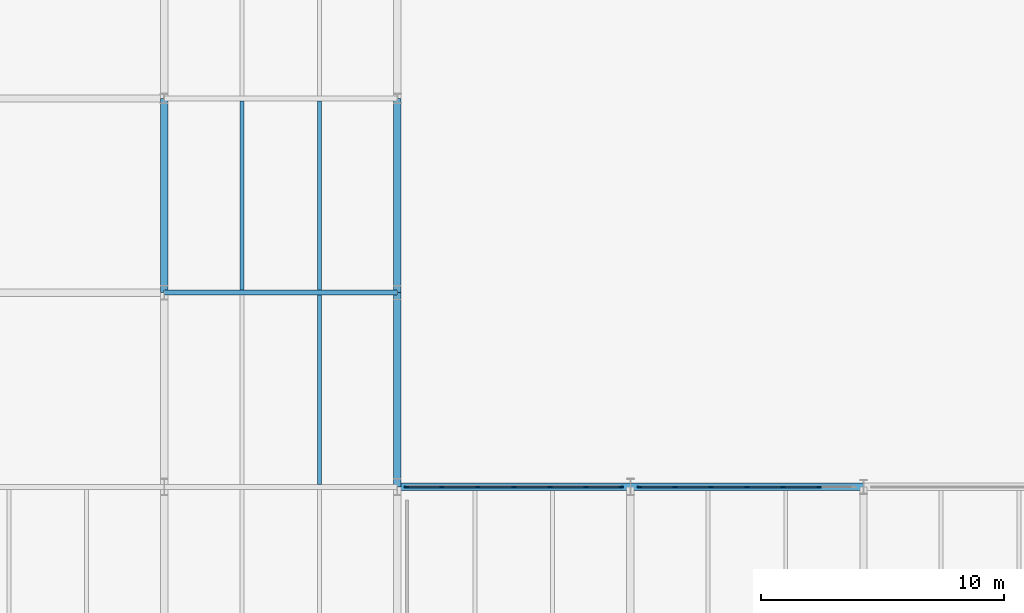
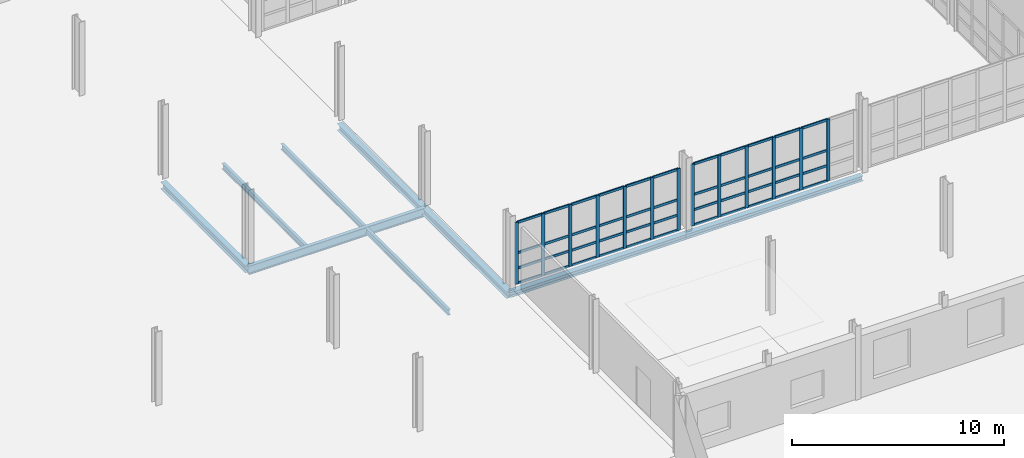
# One storey, part 33 of 78: 57 members, 9 beams, 2 elements without a shape of their own.
"""IFC4 building model written with IfcOpenShell, lengths in metres."""

import ifcopenshell
import ifcopenshell.guid

model = None  # the IFC model being written
_history = None  # IfcOwnerHistory: only IFC2X3 demands one
_inside = {}  # id of a spatial element -> (the spatial element, [elements in it])
_under = {}  # id of a project, library or spatial element -> (it, [spatial elements below it])
_declared = {}  # id of a project -> (the project, [libraries it declares])
_typed = {}  # id of a type object -> (the type object, [elements of that type])
_made_of = {}  # id of a material, layer set ... -> (it, [elements and type objects made of it])


def new_model(schema):
    """Start an empty IFC model of exactly this schema.

    Asked for "IFC4X3", IfcOpenShell would pick the latest addendum, in which some entities
    have other attributes; the version numbers below select the first issue.
    IFC2X3 requires an IfcOwnerHistory on every rooted entity: one is made here for all.
    """
    global model, _history
    if schema == "IFC4X3":
        model = ifcopenshell.file(schema_version=(4, 3, 0, 0))
    else:
        model = ifcopenshell.file(schema=schema)
    _inside.clear()
    _under.clear()
    _declared.clear()
    _typed.clear()
    _made_of.clear()
    _history = None
    if model.schema == "IFC2X3":
        org = make("IfcOrganization", Name="unknown")
        user = make(
            "IfcPersonAndOrganization",
            ThePerson=make("IfcPerson", FamilyName="unknown"),
            TheOrganization=org,
        )
        app = make(
            "IfcApplication",
            ApplicationDeveloper=org,
            Version="unknown",
            ApplicationFullName="unknown",
            ApplicationIdentifier="unknown",
        )
        _history = make(
            "IfcOwnerHistory",
            OwningUser=user,
            OwningApplication=app,
            ChangeAction="ADDED",
            CreationDate=0,
        )
    return model


def make(cls, **values):
    """One entity of the class cls with the attributes given. An attribute that is None is left unset."""
    return model.create_entity(
        cls, **{name: value for name, value in values.items() if value is not None}
    )


def rooted(cls, **values):
    """An entity with a GlobalId (a new one), such as an element, a storey or a relation."""
    return make(cls, GlobalId=ifcopenshell.guid.new(), OwnerHistory=_history, **values)


def si_unit(unit_type, name, prefix=None):
    """IfcSIUnit, for example si_unit("LENGTHUNIT", "METRE", prefix="MILLI")."""
    return make("IfcSIUnit", UnitType=unit_type, Prefix=prefix, Name=name)


def assignment(units):
    """IfcUnitAssignment: the units of a project."""
    return None if units is None else make("IfcUnitAssignment", Units=units)


def point(xyz):
    """IfcCartesianPoint."""
    return None if xyz is None else make("IfcCartesianPoint", Coordinates=xyz)


def direction(xyz):
    """IfcDirection."""
    return None if xyz is None else make("IfcDirection", DirectionRatios=xyz)


def frame(location, z_axis=None, x_axis=None):
    """IfcAxis2Placement3D, a coordinate frame: its origin and axes. An axis left out is left unset."""
    return make(
        "IfcAxis2Placement3D",
        Location=point(location),
        Axis=direction(z_axis),
        RefDirection=direction(x_axis),
    )


def frame_2d(location, x_axis=None):
    """IfcAxis2Placement2D, a coordinate frame in the plane: its origin and x axis."""
    return make(
        "IfcAxis2Placement2D", Location=point(location), RefDirection=direction(x_axis)
    )


def origin():
    """The frame at (0, 0, 0) with its axes left unset."""
    return frame((0.0, 0.0, 0.0))


def origin_2d():
    """The frame at (0, 0) in the plane with its x axis left unset."""
    return frame_2d((0.0, 0.0))


def place(relative_to, where):
    """IfcLocalPlacement: puts the frame where relative to a parent placement (None: the world)."""
    return make(
        "IfcLocalPlacement", PlacementRelTo=relative_to, RelativePlacement=where
    )


def context(
    kind, dimensions, precision=None, world=None, true_north=None, identifier=None
):
    """IfcGeometricRepresentationContext, for example the 3D "Model" context."""
    return make(
        "IfcGeometricRepresentationContext",
        ContextIdentifier=identifier,
        ContextType=kind,
        CoordinateSpaceDimension=dimensions,
        Precision=precision,
        WorldCoordinateSystem=world,
        TrueNorth=true_north,
    )


def subcontext(parent, identifier, kind, view, scale=None):
    """IfcGeometricRepresentationSubContext, for example "Body" below "Model"."""
    return make(
        "IfcGeometricRepresentationSubContext",
        ContextIdentifier=identifier,
        ContextType=kind,
        ParentContext=parent,
        TargetScale=scale,
        TargetView=view,
    )


def project(units=None, contexts=None):
    """IfcProject with its units and contexts."""
    return rooted(
        "IfcProject",
        Name="project",
        RepresentationContexts=contexts,
        UnitsInContext=assignment(units),
    )


def spatial(cls, under=None, at=None, **own):
    """A site, building, storey or space (cls), placed at a placement, below another one or the project."""
    s = rooted(cls, ObjectPlacement=at, **own)
    if under is not None:
        _under.setdefault(under.id(), (under, []))[1].append(s)
    return s


def profile(cls, at=None, kind="AREA", **sizes):
    """A parametric profile (cls). Its sizes go by their IFC names, for example OverallWidth=200.0."""
    return make(cls, ProfileType=kind, Position=at, **sizes)


def rectangle(**sizes):
    """IfcRectangleProfileDef."""
    return profile("IfcRectangleProfileDef", **sizes)


def i_section(**sizes):
    """IfcIShapeProfileDef."""
    return profile("IfcIShapeProfileDef", **sizes)


def extrude(swept, where, along, depth):
    """IfcExtrudedAreaSolid: the profile swept, set in the frame where, extruded along a direction by depth."""
    return make(
        "IfcExtrudedAreaSolid",
        SweptArea=swept,
        Position=where,
        ExtrudedDirection=direction(along),
        Depth=depth,
    )


def shape(context_of_items, identifier, shape_type, items):
    """IfcShapeRepresentation: the items that make up one representation, for example the "Body"."""
    return make(
        "IfcShapeRepresentation",
        ContextOfItems=context_of_items,
        RepresentationIdentifier=identifier,
        RepresentationType=shape_type,
        Items=items,
    )


def material(Name=None, Category=None):
    """IfcMaterial."""
    return make("IfcMaterial", Name=Name, Category=Category)


def layer(
    of_material, thickness, ventilated=None, Name=None, Category=None, Priority=None
):
    """IfcMaterialLayer: one layer of a wall or slab, of a material (None: an air gap)."""
    return make(
        "IfcMaterialLayer",
        Material=of_material,
        LayerThickness=thickness,
        IsVentilated=ventilated,
        Name=Name,
        Category=Category,
        Priority=Priority,
    )


def layer_set(layers, Name=None):
    """IfcMaterialLayerSet."""
    return make("IfcMaterialLayerSet", MaterialLayers=layers, LayerSetName=Name)


def material_profile(
    of_material, cross_section, Name=None, Category=None, Priority=None
):
    """IfcMaterialProfile: a cross section and its material."""
    return make(
        "IfcMaterialProfile",
        Name=Name,
        Material=of_material,
        Profile=cross_section,
        Priority=Priority,
        Category=Category,
    )


def profile_set(profiles, Name=None, composite=None):
    """IfcMaterialProfileSet."""
    return make(
        "IfcMaterialProfileSet",
        Name=Name,
        MaterialProfiles=profiles,
        CompositeProfile=composite,
    )


def made_of(thing, what):
    """Note that an element or type object is made of a material, layer set ...; save() writes the relation."""
    if what is not None:
        _made_of.setdefault(what.id(), (what, []))[1].append(thing)
    return thing


def type_object(cls, material=None, **own):
    """A type object (cls), such as IfcWallType, which elements share."""
    return made_of(rooted(cls, **own), material)


def element(
    cls,
    number,
    at=None,
    inside=None,
    cuts=None,
    type_object=None,
    material=None,
    context=None,
    identifier="Body",
    shape_type=None,
    held_by="IfcProductDefinitionShape",
    body=None,
    shapes=None,
    **own,
):
    """One element of the class cls, such as IfcWall. Its Tag is "e" and its number.

    at: its placement. inside: the storey or other place that contains it. cuts: it is an
    opening in that element (IfcRelVoidsElement). A single representation is given by context,
    identifier, shape_type and body (its items); several are given by shapes. held_by: the class
    of the entity that holds the representations. save() writes the other relations.
    """
    e = rooted(cls, Tag="e%d" % number, ObjectPlacement=at, **own)
    if body is not None:
        shapes = [shape(context, identifier, shape_type, body)]
    if shapes is not None:
        e.Representation = make(held_by, Representations=shapes)
    if inside is not None:
        _inside.setdefault(inside.id(), (inside, []))[1].append(e)
    if cuts is not None:
        rooted(
            "IfcRelVoidsElement", RelatingBuildingElement=cuts, RelatedOpeningElement=e
        )
    if type_object is not None:
        _typed.setdefault(type_object.id(), (type_object, []))[1].append(e)
    return made_of(e, material)


def aggregate(whole, parts):
    """IfcRelAggregates: a whole, such as a stair, and the parts it consists of."""
    return rooted("IfcRelAggregates", RelatingObject=whole, RelatedObjects=parts)


def save(model, path):
    """Write the relations noted so far, then the file.

    IfcRelAggregates (storeys below a building ...), IfcRelContainedInSpatialStructure (elements
    in a storey), IfcRelDefinesByType, IfcRelAssociatesMaterial and IfcRelDeclares: one each for
    every whole, place, type object, material and project.
    """
    for whole, parts in _under.values():
        aggregate(whole, parts)
    for where, things in _inside.values():
        rooted(
            "IfcRelContainedInSpatialStructure",
            RelatedElements=things,
            RelatingStructure=where,
        )
    for kind, things in _typed.values():
        rooted("IfcRelDefinesByType", RelatedObjects=things, RelatingType=kind)
    for what, things in _made_of.values():
        rooted("IfcRelAssociatesMaterial", RelatedObjects=things, RelatingMaterial=what)
    for by, libraries in _declared.values():
        rooted("IfcRelDeclares", RelatingContext=by, RelatedDefinitions=libraries)
    model.write(path)


model = new_model("IFC4")

# Units and contexts
model_context = context("Model", 3, precision=1e-05, world=origin(), true_north=direction((0.0, 1.0)))
body_context = subcontext(model_context, "Body", "Model", "MODEL_VIEW")
ifc_project = project(units=[si_unit("LENGTHUNIT", "METRE"), si_unit("AREAUNIT", "SQUARE_METRE"), si_unit("VOLUMEUNIT", "CUBIC_METRE"), si_unit("PLANEANGLEUNIT", "RADIAN"), si_unit("MASSUNIT", "GRAM", prefix="KILO")], contexts=[model_context])

# Site, building, storey
site_placement = place(None, origin())
site = spatial("IfcSite", under=ifc_project, at=site_placement, CompositionType="ELEMENT")
building_placement = place(site_placement, origin())
building = spatial("IfcBuilding", under=site, at=building_placement, Name="Alderhovde Museum", CompositionType="ELEMENT")
storey_placement = place(building_placement, origin())
storey = spatial("IfcBuildingStorey", under=building, at=storey_placement, Name="L00", CompositionType="ELEMENT", Elevation=0.0)

# Beams
ifc_material_1 = material(Name="Steel S355J2", Category="steel")
ifc_material_profile_1 = material_profile(ifc_material_1, i_section(OverallWidth=0.300048828125, OverallDepth=0.389892578125, WebThickness=0.010986328125, FlangeThickness=0.01904296875, FilletRadius=0.027099609375, at=origin_2d()), Name="HEA 400")
ifc_profile_set_1 = profile_set([ifc_material_profile_1], Name="Steel S355J2")
beam_type_1 = type_object("IfcBeamType", Name="BM-HEA400", PredefinedType="BEAM", material=ifc_profile_set_1)
for number, where, z_axis, x_axis, name in (
    (1, (105.60009765625, 56.0, -0.47509765625), (0.0, 1.0, 0.0), (-1.0, 0.0, 0.0), "L00 Grid Beam X=105.6 (56.0 TO 64.0)"),
    (2, (115.199951171875, 48.0, -0.47509765625), (0.0, 1.0, 0.0), (-1.0, 0.0, 0.0), "L00 Grid Beam X=115.2 (48.0 TO 56.0)"),
    (3, (115.199951171875, 56.0, -0.47509765625), (0.0, 1.0, 0.0), (-1.0, 0.0, 0.0), "L00 Grid Beam X=115.2 (56.0 TO 64.0)"),
):
    element("IfcBeam", number, at=place(storey_placement, frame(where, z_axis=z_axis, x_axis=x_axis)), inside=storey, type_object=beam_type_1, Name=name, PredefinedType="BEAM", context=body_context, shape_type="SweptSolid", body=[
        extrude(i_section(OverallWidth=0.300048828125, OverallDepth=0.389892578125, WebThickness=0.010986328125, FlangeThickness=0.01904296875, FilletRadius=0.027099609375, at=origin_2d()), origin(), (0.0, 0.0, 1.0), 8.0),
    ])
ifc_material_2 = material(Name="Steel S355J2", Category="steel")
ifc_material_profile_2 = material_profile(ifc_material_2, i_section(OverallWidth=0.199951171875, OverallDepth=0.5, WebThickness=0.01025390625, FlangeThickness=0.01611328125, FilletRadius=0.02099609375, at=origin_2d()), Name="IPE 500")
ifc_profile_set_2 = profile_set([ifc_material_profile_2], Name="Steel S355J2")
beam_type_2 = type_object("IfcBeamType", Name="BM-IPE500", PredefinedType="BEAM", material=ifc_profile_set_2)
beam_1_placement = place(storey_placement, frame((105.60009765625, 56.0, -0.530029296875), z_axis=(1.0, 0.0, 0.0), x_axis=(0.0, 1.0, 0.0)))
element("IfcBeam", 4, at=beam_1_placement, inside=storey, type_object=beam_type_2, Name="L00 Grid Beam Y=56.0 (105.6 TO 115.2)", PredefinedType="BEAM", context=body_context, shape_type="SweptSolid", body=[
    extrude(i_section(OverallWidth=0.199951171875, OverallDepth=0.5, WebThickness=0.01025390625, FlangeThickness=0.01611328125, FilletRadius=0.02099609375, at=origin_2d()), origin(), (0.0, 0.0, 1.0), 9.599853515625),
])

# Curtain wall, members
ifc_material_3 = material(Name="Triple-Glazed Bronze-Anodised Curtain Wall", Category="glass")
ifc_layer = layer(ifc_material_3, 0.179931640625)
ifc_layer_set = layer_set([ifc_layer], Name="Triple-Glazed Bronze-Anodised Curtain Wall")
curtain_wall_type = type_object("IfcCurtainWallType", Name="CW-STIC-890x356", PredefinedType="USERDEFINED", material=ifc_layer_set)
curtain_wall_1_placement = place(storey_placement, origin())
curtain_wall_1 = element("IfcCurtainWall", 5, at=curtain_wall_1_placement, inside=storey, type_object=curtain_wall_type, Name="L00 Stick Curtain Wall 133", ObjectType="STICK CURTAIN WALL", PredefinedType="USERDEFINED")
ifc_material_4 = material(Name="Bronze-Anodised Aluminium EN AW-6063-T6", Category="aluminium")
ifc_material_profile_3 = material_profile(ifc_material_4, rectangle(XDim=0.06494140625, YDim=0.179931640625, at=origin_2d()), Name="MULLION 65x180")
ifc_profile_set_3 = profile_set([ifc_material_profile_3], Name="Bronze-Anodised Aluminium EN AW-6063-T6")
member_type_1 = type_object("IfcMemberType", Name="CWM-65x180", PredefinedType="MULLION", material=ifc_profile_set_3)
member_1_placement = place(storey_placement, frame((115.58251953125, 48.0, 0.0), z_axis=(0.0, 0.0, 1.0), x_axis=(0.0, 1.0, 0.0)))
member_1 = element("IfcMember", 6, at=member_1_placement, type_object=member_type_1, Name="CW32 mullion 1", PredefinedType="MULLION", context=body_context, shape_type="SweptSolid", body=[
    extrude(rectangle(XDim=0.06494140625, YDim=0.179931640625, at=origin_2d()), origin(), (0.0, 0.0, 1.0), 3.56005859375),
])
member_2_placement = place(storey_placement, frame((117.033447265625, 48.0, 0.0), z_axis=(0.0, 0.0, 1.0), x_axis=(0.0, 1.0, 0.0)))
member_2 = element("IfcMember", 7, at=member_2_placement, type_object=member_type_1, Name="CW32 mullion 2", PredefinedType="MULLION", context=body_context, shape_type="SweptSolid", body=[
    extrude(rectangle(XDim=0.06494140625, YDim=0.179931640625, at=origin_2d()), origin(), (0.0, 0.0, 1.0), 3.56005859375),
])
member_3_placement = place(storey_placement, frame((118.5166015625, 48.0, 0.0), z_axis=(0.0, 0.0, 1.0), x_axis=(0.0, 1.0, 0.0)))
member_3 = element("IfcMember", 8, at=member_3_placement, type_object=member_type_1, Name="CW32 mullion 3", PredefinedType="MULLION", context=body_context, shape_type="SweptSolid", body=[
    extrude(rectangle(XDim=0.06494140625, YDim=0.179931640625, at=origin_2d()), origin(), (0.0, 0.0, 1.0), 3.56005859375),
])
member_4_placement = place(storey_placement, frame((120.0, 48.0, 0.0), z_axis=(0.0, 0.0, 1.0), x_axis=(0.0, 1.0, 0.0)))
member_4 = element("IfcMember", 9, at=member_4_placement, type_object=member_type_1, Name="CW32 mullion 4", PredefinedType="MULLION", context=body_context, shape_type="SweptSolid", body=[
    extrude(rectangle(XDim=0.06494140625, YDim=0.179931640625, at=origin_2d()), origin(), (0.0, 0.0, 1.0), 3.56005859375),
])
member_5_placement = place(storey_placement, frame((121.4833984375, 48.0, 0.0), z_axis=(0.0, 0.0, 1.0), x_axis=(0.0, 1.0, 0.0)))
member_5 = element("IfcMember", 10, at=member_5_placement, type_object=member_type_1, Name="CW32 mullion 5", PredefinedType="MULLION", context=body_context, shape_type="SweptSolid", body=[
    extrude(rectangle(XDim=0.06494140625, YDim=0.179931640625, at=origin_2d()), origin(), (0.0, 0.0, 1.0), 3.56005859375),
])
member_6_placement = place(storey_placement, frame((122.966552734375, 48.0, 0.0), z_axis=(0.0, 0.0, 1.0), x_axis=(0.0, 1.0, 0.0)))
member_6 = element("IfcMember", 11, at=member_6_placement, type_object=member_type_1, Name="CW32 mullion 6", PredefinedType="MULLION", context=body_context, shape_type="SweptSolid", body=[
    extrude(rectangle(XDim=0.06494140625, YDim=0.179931640625, at=origin_2d()), origin(), (0.0, 0.0, 1.0), 3.56005859375),
])
member_7_placement = place(storey_placement, frame((124.41748046875, 48.0, 0.0), z_axis=(0.0, 0.0, 1.0), x_axis=(0.0, 1.0, 0.0)))
member_7 = element("IfcMember", 12, at=member_7_placement, type_object=member_type_1, Name="CW32 mullion 7", PredefinedType="MULLION", context=body_context, shape_type="SweptSolid", body=[
    extrude(rectangle(XDim=0.06494140625, YDim=0.179931640625, at=origin_2d()), origin(), (0.0, 0.0, 1.0), 3.56005859375),
])

curtain_wall_2_placement = place(storey_placement, origin())
curtain_wall_2 = element("IfcCurtainWall", 13, at=curtain_wall_2_placement, inside=storey, type_object=curtain_wall_type, Name="L00 Stick Curtain Wall 136", ObjectType="STICK CURTAIN WALL", PredefinedType="USERDEFINED")
member_8_placement = place(storey_placement, frame((125.1826171875, 48.0, 0.0), z_axis=(0.0, 0.0, 1.0), x_axis=(0.0, 1.0, 0.0)))
member_8 = element("IfcMember", 14, at=member_8_placement, type_object=member_type_1, Name="CW32 mullion 1", PredefinedType="MULLION", context=body_context, shape_type="SweptSolid", body=[
    extrude(rectangle(XDim=0.06494140625, YDim=0.179931640625, at=origin_2d()), origin(), (0.0, 0.0, 1.0), 3.56005859375),
])
member_9_placement = place(storey_placement, frame((126.63330078125, 48.0, 0.0), z_axis=(0.0, 0.0, 1.0), x_axis=(0.0, 1.0, 0.0)))
member_9 = element("IfcMember", 15, at=member_9_placement, type_object=member_type_1, Name="CW32 mullion 2", PredefinedType="MULLION", context=body_context, shape_type="SweptSolid", body=[
    extrude(rectangle(XDim=0.06494140625, YDim=0.179931640625, at=origin_2d()), origin(), (0.0, 0.0, 1.0), 3.56005859375),
])
member_10_placement = place(storey_placement, frame((128.11669921875, 48.0, 0.0), z_axis=(0.0, 0.0, 1.0), x_axis=(0.0, 1.0, 0.0)))
member_10 = element("IfcMember", 16, at=member_10_placement, type_object=member_type_1, Name="CW32 mullion 3", PredefinedType="MULLION", context=body_context, shape_type="SweptSolid", body=[
    extrude(rectangle(XDim=0.06494140625, YDim=0.179931640625, at=origin_2d()), origin(), (0.0, 0.0, 1.0), 3.56005859375),
])
member_11_placement = place(storey_placement, frame((129.60009765625, 48.0, 0.0), z_axis=(0.0, 0.0, 1.0), x_axis=(0.0, 1.0, 0.0)))
member_11 = element("IfcMember", 17, at=member_11_placement, type_object=member_type_1, Name="CW32 mullion 4", PredefinedType="MULLION", context=body_context, shape_type="SweptSolid", body=[
    extrude(rectangle(XDim=0.06494140625, YDim=0.179931640625, at=origin_2d()), origin(), (0.0, 0.0, 1.0), 3.56005859375),
])
member_12_placement = place(storey_placement, frame((131.083251953125, 48.0, 0.0), z_axis=(0.0, 0.0, 1.0), x_axis=(0.0, 1.0, 0.0)))
member_12 = element("IfcMember", 18, at=member_12_placement, type_object=member_type_1, Name="CW32 mullion 5", PredefinedType="MULLION", context=body_context, shape_type="SweptSolid", body=[
    extrude(rectangle(XDim=0.06494140625, YDim=0.179931640625, at=origin_2d()), origin(), (0.0, 0.0, 1.0), 3.56005859375),
])
member_13_placement = place(storey_placement, frame((132.566650390625, 48.0, 0.0), z_axis=(0.0, 0.0, 1.0), x_axis=(0.0, 1.0, 0.0)))
member_13 = element("IfcMember", 19, at=member_13_placement, type_object=member_type_1, Name="CW32 mullion 6", PredefinedType="MULLION", context=body_context, shape_type="SweptSolid", body=[
    extrude(rectangle(XDim=0.06494140625, YDim=0.179931640625, at=origin_2d()), origin(), (0.0, 0.0, 1.0), 3.56005859375),
])

# Member
ifc_material_5 = material(Name="Bronze-Anodised Aluminium EN AW-6063-T6", Category="aluminium")
ifc_material_profile_4 = material_profile(ifc_material_5, rectangle(XDim=0.06494140625, YDim=0.139892578125, at=origin_2d()), Name="TRANSOM 65x140")
ifc_profile_set_4 = profile_set([ifc_material_profile_4], Name="Bronze-Anodised Aluminium EN AW-6063-T6")
member_type_2 = type_object("IfcMemberType", Name="CWT-65x140", PredefinedType="USERDEFINED", material=ifc_profile_set_4)
member_14_placement = place(storey_placement, frame((115.614990234375, 48.0, 0.032470703125), z_axis=(1.0, 0.0, 0.0), x_axis=(0.0, 1.0, 0.0)))
member_14 = element("IfcMember", 20, at=member_14_placement, type_object=member_type_2, Name="CW32 transom 1.1", ObjectType="TRANSOM", PredefinedType="USERDEFINED", context=body_context, shape_type="SweptSolid", body=[
    extrude(rectangle(XDim=0.06494140625, YDim=0.139892578125, at=origin_2d()), origin(), (0.0, 0.0, 1.0), 1.3857421875),
])

member_15_placement = place(storey_placement, frame((115.614990234375, 48.0, 0.89990234375), z_axis=(1.0, 0.0, 0.0), x_axis=(0.0, 1.0, 0.0)))
member_15 = element("IfcMember", 21, at=member_15_placement, type_object=member_type_2, Name="CW32 transom 1.2", ObjectType="TRANSOM", PredefinedType="USERDEFINED", context=body_context, shape_type="SweptSolid", body=[
    extrude(rectangle(XDim=0.06494140625, YDim=0.139892578125, at=origin_2d()), origin(), (0.0, 0.0, 1.0), 1.3857421875),
])

member_16_placement = place(storey_placement, frame((115.614990234375, 48.0, 1.780029296875), z_axis=(1.0, 0.0, 0.0), x_axis=(0.0, 1.0, 0.0)))
member_16 = element("IfcMember", 22, at=member_16_placement, type_object=member_type_2, Name="CW32 transom 1.3", ObjectType="TRANSOM", PredefinedType="USERDEFINED", context=body_context, shape_type="SweptSolid", body=[
    extrude(rectangle(XDim=0.06494140625, YDim=0.139892578125, at=origin_2d()), origin(), (0.0, 0.0, 1.0), 1.3857421875),
])

member_17_placement = place(storey_placement, frame((115.614990234375, 48.0, 3.527587890625), z_axis=(1.0, 0.0, 0.0), x_axis=(0.0, 1.0, 0.0)))
member_17 = element("IfcMember", 23, at=member_17_placement, type_object=member_type_2, Name="CW32 transom 1.4", ObjectType="TRANSOM", PredefinedType="USERDEFINED", context=body_context, shape_type="SweptSolid", body=[
    extrude(rectangle(XDim=0.06494140625, YDim=0.139892578125, at=origin_2d()), origin(), (0.0, 0.0, 1.0), 1.3857421875),
])

member_18_placement = place(storey_placement, frame((117.06591796875, 48.0, 0.032470703125), z_axis=(1.0, 0.0, 0.0), x_axis=(0.0, 1.0, 0.0)))
member_18 = element("IfcMember", 24, at=member_18_placement, type_object=member_type_2, Name="CW32 transom 2.1", ObjectType="TRANSOM", PredefinedType="USERDEFINED", context=body_context, shape_type="SweptSolid", body=[
    extrude(rectangle(XDim=0.06494140625, YDim=0.139892578125, at=origin_2d()), origin(), (0.0, 0.0, 1.0), 1.418212890625),
])

member_19_placement = place(storey_placement, frame((117.06591796875, 48.0, 0.89990234375), z_axis=(1.0, 0.0, 0.0), x_axis=(0.0, 1.0, 0.0)))
member_19 = element("IfcMember", 25, at=member_19_placement, type_object=member_type_2, Name="CW32 transom 2.2", ObjectType="TRANSOM", PredefinedType="USERDEFINED", context=body_context, shape_type="SweptSolid", body=[
    extrude(rectangle(XDim=0.06494140625, YDim=0.139892578125, at=origin_2d()), origin(), (0.0, 0.0, 1.0), 1.418212890625),
])

member_20_placement = place(storey_placement, frame((117.06591796875, 48.0, 1.780029296875), z_axis=(1.0, 0.0, 0.0), x_axis=(0.0, 1.0, 0.0)))
member_20 = element("IfcMember", 26, at=member_20_placement, type_object=member_type_2, Name="CW32 transom 2.3", ObjectType="TRANSOM", PredefinedType="USERDEFINED", context=body_context, shape_type="SweptSolid", body=[
    extrude(rectangle(XDim=0.06494140625, YDim=0.139892578125, at=origin_2d()), origin(), (0.0, 0.0, 1.0), 1.418212890625),
])

member_21_placement = place(storey_placement, frame((117.06591796875, 48.0, 3.527587890625), z_axis=(1.0, 0.0, 0.0), x_axis=(0.0, 1.0, 0.0)))
member_21 = element("IfcMember", 27, at=member_21_placement, type_object=member_type_2, Name="CW32 transom 2.4", ObjectType="TRANSOM", PredefinedType="USERDEFINED", context=body_context, shape_type="SweptSolid", body=[
    extrude(rectangle(XDim=0.06494140625, YDim=0.139892578125, at=origin_2d()), origin(), (0.0, 0.0, 1.0), 1.418212890625),
])

member_22_placement = place(storey_placement, frame((118.549072265625, 48.0, 0.032470703125), z_axis=(1.0, 0.0, 0.0), x_axis=(0.0, 1.0, 0.0)))
member_22 = element("IfcMember", 28, at=member_22_placement, type_object=member_type_2, Name="CW32 transom 3.1", ObjectType="TRANSOM", PredefinedType="USERDEFINED", context=body_context, shape_type="SweptSolid", body=[
    extrude(rectangle(XDim=0.06494140625, YDim=0.139892578125, at=origin_2d()), origin(), (0.0, 0.0, 1.0), 1.41845703125),
])

member_23_placement = place(storey_placement, frame((118.549072265625, 48.0, 0.89990234375), z_axis=(1.0, 0.0, 0.0), x_axis=(0.0, 1.0, 0.0)))
member_23 = element("IfcMember", 29, at=member_23_placement, type_object=member_type_2, Name="CW32 transom 3.2", ObjectType="TRANSOM", PredefinedType="USERDEFINED", context=body_context, shape_type="SweptSolid", body=[
    extrude(rectangle(XDim=0.06494140625, YDim=0.139892578125, at=origin_2d()), origin(), (0.0, 0.0, 1.0), 1.41845703125),
])

member_24_placement = place(storey_placement, frame((118.549072265625, 48.0, 1.780029296875), z_axis=(1.0, 0.0, 0.0), x_axis=(0.0, 1.0, 0.0)))
member_24 = element("IfcMember", 30, at=member_24_placement, type_object=member_type_2, Name="CW32 transom 3.3", ObjectType="TRANSOM", PredefinedType="USERDEFINED", context=body_context, shape_type="SweptSolid", body=[
    extrude(rectangle(XDim=0.06494140625, YDim=0.139892578125, at=origin_2d()), origin(), (0.0, 0.0, 1.0), 1.41845703125),
])

member_25_placement = place(storey_placement, frame((118.549072265625, 48.0, 3.527587890625), z_axis=(1.0, 0.0, 0.0), x_axis=(0.0, 1.0, 0.0)))
member_25 = element("IfcMember", 31, at=member_25_placement, type_object=member_type_2, Name="CW32 transom 3.4", ObjectType="TRANSOM", PredefinedType="USERDEFINED", context=body_context, shape_type="SweptSolid", body=[
    extrude(rectangle(XDim=0.06494140625, YDim=0.139892578125, at=origin_2d()), origin(), (0.0, 0.0, 1.0), 1.41845703125),
])

member_26_placement = place(storey_placement, frame((120.032470703125, 48.0, 0.032470703125), z_axis=(1.0, 0.0, 0.0), x_axis=(0.0, 1.0, 0.0)))
member_26 = element("IfcMember", 32, at=member_26_placement, type_object=member_type_2, Name="CW32 transom 4.1", ObjectType="TRANSOM", PredefinedType="USERDEFINED", context=body_context, shape_type="SweptSolid", body=[
    extrude(rectangle(XDim=0.06494140625, YDim=0.139892578125, at=origin_2d()), origin(), (0.0, 0.0, 1.0), 1.41845703125),
])

member_27_placement = place(storey_placement, frame((120.032470703125, 48.0, 0.89990234375), z_axis=(1.0, 0.0, 0.0), x_axis=(0.0, 1.0, 0.0)))
member_27 = element("IfcMember", 33, at=member_27_placement, type_object=member_type_2, Name="CW32 transom 4.2", ObjectType="TRANSOM", PredefinedType="USERDEFINED", context=body_context, shape_type="SweptSolid", body=[
    extrude(rectangle(XDim=0.06494140625, YDim=0.139892578125, at=origin_2d()), origin(), (0.0, 0.0, 1.0), 1.41845703125),
])

member_28_placement = place(storey_placement, frame((120.032470703125, 48.0, 1.780029296875), z_axis=(1.0, 0.0, 0.0), x_axis=(0.0, 1.0, 0.0)))
member_28 = element("IfcMember", 34, at=member_28_placement, type_object=member_type_2, Name="CW32 transom 4.3", ObjectType="TRANSOM", PredefinedType="USERDEFINED", context=body_context, shape_type="SweptSolid", body=[
    extrude(rectangle(XDim=0.06494140625, YDim=0.139892578125, at=origin_2d()), origin(), (0.0, 0.0, 1.0), 1.41845703125),
])

member_29_placement = place(storey_placement, frame((120.032470703125, 48.0, 3.527587890625), z_axis=(1.0, 0.0, 0.0), x_axis=(0.0, 1.0, 0.0)))
member_29 = element("IfcMember", 35, at=member_29_placement, type_object=member_type_2, Name="CW32 transom 4.4", ObjectType="TRANSOM", PredefinedType="USERDEFINED", context=body_context, shape_type="SweptSolid", body=[
    extrude(rectangle(XDim=0.06494140625, YDim=0.139892578125, at=origin_2d()), origin(), (0.0, 0.0, 1.0), 1.41845703125),
])

member_30_placement = place(storey_placement, frame((121.515869140625, 48.0, 0.032470703125), z_axis=(1.0, 0.0, 0.0), x_axis=(0.0, 1.0, 0.0)))
member_30 = element("IfcMember", 36, at=member_30_placement, type_object=member_type_2, Name="CW32 transom 5.1", ObjectType="TRANSOM", PredefinedType="USERDEFINED", context=body_context, shape_type="SweptSolid", body=[
    extrude(rectangle(XDim=0.06494140625, YDim=0.139892578125, at=origin_2d()), origin(), (0.0, 0.0, 1.0), 1.418212890625),
])

member_31_placement = place(storey_placement, frame((121.515869140625, 48.0, 0.89990234375), z_axis=(1.0, 0.0, 0.0), x_axis=(0.0, 1.0, 0.0)))
member_31 = element("IfcMember", 37, at=member_31_placement, type_object=member_type_2, Name="CW32 transom 5.2", ObjectType="TRANSOM", PredefinedType="USERDEFINED", context=body_context, shape_type="SweptSolid", body=[
    extrude(rectangle(XDim=0.06494140625, YDim=0.139892578125, at=origin_2d()), origin(), (0.0, 0.0, 1.0), 1.418212890625),
])

member_32_placement = place(storey_placement, frame((121.515869140625, 48.0, 1.780029296875), z_axis=(1.0, 0.0, 0.0), x_axis=(0.0, 1.0, 0.0)))
member_32 = element("IfcMember", 38, at=member_32_placement, type_object=member_type_2, Name="CW32 transom 5.3", ObjectType="TRANSOM", PredefinedType="USERDEFINED", context=body_context, shape_type="SweptSolid", body=[
    extrude(rectangle(XDim=0.06494140625, YDim=0.139892578125, at=origin_2d()), origin(), (0.0, 0.0, 1.0), 1.418212890625),
])

member_33_placement = place(storey_placement, frame((121.515869140625, 48.0, 3.527587890625), z_axis=(1.0, 0.0, 0.0), x_axis=(0.0, 1.0, 0.0)))
member_33 = element("IfcMember", 39, at=member_33_placement, type_object=member_type_2, Name="CW32 transom 5.4", ObjectType="TRANSOM", PredefinedType="USERDEFINED", context=body_context, shape_type="SweptSolid", body=[
    extrude(rectangle(XDim=0.06494140625, YDim=0.139892578125, at=origin_2d()), origin(), (0.0, 0.0, 1.0), 1.418212890625),
])

member_34_placement = place(storey_placement, frame((122.999267578125, 48.0, 0.032470703125), z_axis=(1.0, 0.0, 0.0), x_axis=(0.0, 1.0, 0.0)))
member_34 = element("IfcMember", 40, at=member_34_placement, type_object=member_type_2, Name="CW32 transom 6.1", ObjectType="TRANSOM", PredefinedType="USERDEFINED", context=body_context, shape_type="SweptSolid", body=[
    extrude(rectangle(XDim=0.06494140625, YDim=0.139892578125, at=origin_2d()), origin(), (0.0, 0.0, 1.0), 1.3857421875),
])

member_35_placement = place(storey_placement, frame((122.999267578125, 48.0, 0.89990234375), z_axis=(1.0, 0.0, 0.0), x_axis=(0.0, 1.0, 0.0)))
member_35 = element("IfcMember", 41, at=member_35_placement, type_object=member_type_2, Name="CW32 transom 6.2", ObjectType="TRANSOM", PredefinedType="USERDEFINED", context=body_context, shape_type="SweptSolid", body=[
    extrude(rectangle(XDim=0.06494140625, YDim=0.139892578125, at=origin_2d()), origin(), (0.0, 0.0, 1.0), 1.3857421875),
])

member_36_placement = place(storey_placement, frame((122.999267578125, 48.0, 1.780029296875), z_axis=(1.0, 0.0, 0.0), x_axis=(0.0, 1.0, 0.0)))
member_36 = element("IfcMember", 42, at=member_36_placement, type_object=member_type_2, Name="CW32 transom 6.3", ObjectType="TRANSOM", PredefinedType="USERDEFINED", context=body_context, shape_type="SweptSolid", body=[
    extrude(rectangle(XDim=0.06494140625, YDim=0.139892578125, at=origin_2d()), origin(), (0.0, 0.0, 1.0), 1.3857421875),
])

member_37_placement = place(storey_placement, frame((122.999267578125, 48.0, 3.527587890625), z_axis=(1.0, 0.0, 0.0), x_axis=(0.0, 1.0, 0.0)))
member_37 = element("IfcMember", 43, at=member_37_placement, type_object=member_type_2, Name="CW32 transom 6.4", ObjectType="TRANSOM", PredefinedType="USERDEFINED", context=body_context, shape_type="SweptSolid", body=[
    extrude(rectangle(XDim=0.06494140625, YDim=0.139892578125, at=origin_2d()), origin(), (0.0, 0.0, 1.0), 1.3857421875),
])

aggregate(curtain_wall_1, [member_1, member_2, member_3, member_4, member_5, member_6, member_7, member_14, member_15, member_16, member_17, member_18, member_19, member_20, member_21, member_22, member_23, member_24, member_25, member_26, member_27, member_28, member_29, member_30, member_31, member_32, member_33, member_34, member_35, member_36, member_37])

member_38_placement = place(storey_placement, frame((125.215087890625, 48.0, 0.032470703125), z_axis=(1.0, 0.0, 0.0), x_axis=(0.0, 1.0, 0.0)))
member_38 = element("IfcMember", 44, at=member_38_placement, type_object=member_type_2, Name="CW32 transom 1.1", ObjectType="TRANSOM", PredefinedType="USERDEFINED", context=body_context, shape_type="SweptSolid", body=[
    extrude(rectangle(XDim=0.06494140625, YDim=0.139892578125, at=origin_2d()), origin(), (0.0, 0.0, 1.0), 1.3857421875),
])

member_39_placement = place(storey_placement, frame((125.215087890625, 48.0, 0.89990234375), z_axis=(1.0, 0.0, 0.0), x_axis=(0.0, 1.0, 0.0)))
member_39 = element("IfcMember", 45, at=member_39_placement, type_object=member_type_2, Name="CW32 transom 1.2", ObjectType="TRANSOM", PredefinedType="USERDEFINED", context=body_context, shape_type="SweptSolid", body=[
    extrude(rectangle(XDim=0.06494140625, YDim=0.139892578125, at=origin_2d()), origin(), (0.0, 0.0, 1.0), 1.3857421875),
])

member_40_placement = place(storey_placement, frame((125.215087890625, 48.0, 1.780029296875), z_axis=(1.0, 0.0, 0.0), x_axis=(0.0, 1.0, 0.0)))
member_40 = element("IfcMember", 46, at=member_40_placement, type_object=member_type_2, Name="CW32 transom 1.3", ObjectType="TRANSOM", PredefinedType="USERDEFINED", context=body_context, shape_type="SweptSolid", body=[
    extrude(rectangle(XDim=0.06494140625, YDim=0.139892578125, at=origin_2d()), origin(), (0.0, 0.0, 1.0), 1.3857421875),
])

member_41_placement = place(storey_placement, frame((125.215087890625, 48.0, 3.527587890625), z_axis=(1.0, 0.0, 0.0), x_axis=(0.0, 1.0, 0.0)))
member_41 = element("IfcMember", 47, at=member_41_placement, type_object=member_type_2, Name="CW32 transom 1.4", ObjectType="TRANSOM", PredefinedType="USERDEFINED", context=body_context, shape_type="SweptSolid", body=[
    extrude(rectangle(XDim=0.06494140625, YDim=0.139892578125, at=origin_2d()), origin(), (0.0, 0.0, 1.0), 1.3857421875),
])

member_42_placement = place(storey_placement, frame((126.665771484375, 48.0, 0.032470703125), z_axis=(1.0, 0.0, 0.0), x_axis=(0.0, 1.0, 0.0)))
member_42 = element("IfcMember", 48, at=member_42_placement, type_object=member_type_2, Name="CW32 transom 2.1", ObjectType="TRANSOM", PredefinedType="USERDEFINED", context=body_context, shape_type="SweptSolid", body=[
    extrude(rectangle(XDim=0.06494140625, YDim=0.139892578125, at=origin_2d()), origin(), (0.0, 0.0, 1.0), 1.41845703125),
])

member_43_placement = place(storey_placement, frame((126.665771484375, 48.0, 0.89990234375), z_axis=(1.0, 0.0, 0.0), x_axis=(0.0, 1.0, 0.0)))
member_43 = element("IfcMember", 49, at=member_43_placement, type_object=member_type_2, Name="CW32 transom 2.2", ObjectType="TRANSOM", PredefinedType="USERDEFINED", context=body_context, shape_type="SweptSolid", body=[
    extrude(rectangle(XDim=0.06494140625, YDim=0.139892578125, at=origin_2d()), origin(), (0.0, 0.0, 1.0), 1.41845703125),
])

member_44_placement = place(storey_placement, frame((126.665771484375, 48.0, 1.780029296875), z_axis=(1.0, 0.0, 0.0), x_axis=(0.0, 1.0, 0.0)))
member_44 = element("IfcMember", 50, at=member_44_placement, type_object=member_type_2, Name="CW32 transom 2.3", ObjectType="TRANSOM", PredefinedType="USERDEFINED", context=body_context, shape_type="SweptSolid", body=[
    extrude(rectangle(XDim=0.06494140625, YDim=0.139892578125, at=origin_2d()), origin(), (0.0, 0.0, 1.0), 1.41845703125),
])

member_45_placement = place(storey_placement, frame((126.665771484375, 48.0, 3.527587890625), z_axis=(1.0, 0.0, 0.0), x_axis=(0.0, 1.0, 0.0)))
member_45 = element("IfcMember", 51, at=member_45_placement, type_object=member_type_2, Name="CW32 transom 2.4", ObjectType="TRANSOM", PredefinedType="USERDEFINED", context=body_context, shape_type="SweptSolid", body=[
    extrude(rectangle(XDim=0.06494140625, YDim=0.139892578125, at=origin_2d()), origin(), (0.0, 0.0, 1.0), 1.41845703125),
])

member_46_placement = place(storey_placement, frame((128.149169921875, 48.0, 0.032470703125), z_axis=(1.0, 0.0, 0.0), x_axis=(0.0, 1.0, 0.0)))
member_46 = element("IfcMember", 52, at=member_46_placement, type_object=member_type_2, Name="CW32 transom 3.1", ObjectType="TRANSOM", PredefinedType="USERDEFINED", context=body_context, shape_type="SweptSolid", body=[
    extrude(rectangle(XDim=0.06494140625, YDim=0.139892578125, at=origin_2d()), origin(), (0.0, 0.0, 1.0), 1.418212890625),
])

member_47_placement = place(storey_placement, frame((128.149169921875, 48.0, 0.89990234375), z_axis=(1.0, 0.0, 0.0), x_axis=(0.0, 1.0, 0.0)))
member_47 = element("IfcMember", 53, at=member_47_placement, type_object=member_type_2, Name="CW32 transom 3.2", ObjectType="TRANSOM", PredefinedType="USERDEFINED", context=body_context, shape_type="SweptSolid", body=[
    extrude(rectangle(XDim=0.06494140625, YDim=0.139892578125, at=origin_2d()), origin(), (0.0, 0.0, 1.0), 1.418212890625),
])

member_48_placement = place(storey_placement, frame((128.149169921875, 48.0, 1.780029296875), z_axis=(1.0, 0.0, 0.0), x_axis=(0.0, 1.0, 0.0)))
member_48 = element("IfcMember", 54, at=member_48_placement, type_object=member_type_2, Name="CW32 transom 3.3", ObjectType="TRANSOM", PredefinedType="USERDEFINED", context=body_context, shape_type="SweptSolid", body=[
    extrude(rectangle(XDim=0.06494140625, YDim=0.139892578125, at=origin_2d()), origin(), (0.0, 0.0, 1.0), 1.418212890625),
])

member_49_placement = place(storey_placement, frame((128.149169921875, 48.0, 3.527587890625), z_axis=(1.0, 0.0, 0.0), x_axis=(0.0, 1.0, 0.0)))
member_49 = element("IfcMember", 55, at=member_49_placement, type_object=member_type_2, Name="CW32 transom 3.4", ObjectType="TRANSOM", PredefinedType="USERDEFINED", context=body_context, shape_type="SweptSolid", body=[
    extrude(rectangle(XDim=0.06494140625, YDim=0.139892578125, at=origin_2d()), origin(), (0.0, 0.0, 1.0), 1.418212890625),
])

member_50_placement = place(storey_placement, frame((129.632568359375, 48.0, 0.032470703125), z_axis=(1.0, 0.0, 0.0), x_axis=(0.0, 1.0, 0.0)))
member_50 = element("IfcMember", 56, at=member_50_placement, type_object=member_type_2, Name="CW32 transom 4.1", ObjectType="TRANSOM", PredefinedType="USERDEFINED", context=body_context, shape_type="SweptSolid", body=[
    extrude(rectangle(XDim=0.06494140625, YDim=0.139892578125, at=origin_2d()), origin(), (0.0, 0.0, 1.0), 1.418212890625),
])

member_51_placement = place(storey_placement, frame((129.632568359375, 48.0, 0.89990234375), z_axis=(1.0, 0.0, 0.0), x_axis=(0.0, 1.0, 0.0)))
member_51 = element("IfcMember", 57, at=member_51_placement, type_object=member_type_2, Name="CW32 transom 4.2", ObjectType="TRANSOM", PredefinedType="USERDEFINED", context=body_context, shape_type="SweptSolid", body=[
    extrude(rectangle(XDim=0.06494140625, YDim=0.139892578125, at=origin_2d()), origin(), (0.0, 0.0, 1.0), 1.418212890625),
])

member_52_placement = place(storey_placement, frame((129.632568359375, 48.0, 1.780029296875), z_axis=(1.0, 0.0, 0.0), x_axis=(0.0, 1.0, 0.0)))
member_52 = element("IfcMember", 58, at=member_52_placement, type_object=member_type_2, Name="CW32 transom 4.3", ObjectType="TRANSOM", PredefinedType="USERDEFINED", context=body_context, shape_type="SweptSolid", body=[
    extrude(rectangle(XDim=0.06494140625, YDim=0.139892578125, at=origin_2d()), origin(), (0.0, 0.0, 1.0), 1.418212890625),
])

member_53_placement = place(storey_placement, frame((129.632568359375, 48.0, 3.527587890625), z_axis=(1.0, 0.0, 0.0), x_axis=(0.0, 1.0, 0.0)))
member_53 = element("IfcMember", 59, at=member_53_placement, type_object=member_type_2, Name="CW32 transom 4.4", ObjectType="TRANSOM", PredefinedType="USERDEFINED", context=body_context, shape_type="SweptSolid", body=[
    extrude(rectangle(XDim=0.06494140625, YDim=0.139892578125, at=origin_2d()), origin(), (0.0, 0.0, 1.0), 1.418212890625),
])

member_54_placement = place(storey_placement, frame((131.11572265625, 48.0, 0.032470703125), z_axis=(1.0, 0.0, 0.0), x_axis=(0.0, 1.0, 0.0)))
member_54 = element("IfcMember", 60, at=member_54_placement, type_object=member_type_2, Name="CW32 transom 5.1", ObjectType="TRANSOM", PredefinedType="USERDEFINED", context=body_context, shape_type="SweptSolid", body=[
    extrude(rectangle(XDim=0.06494140625, YDim=0.139892578125, at=origin_2d()), origin(), (0.0, 0.0, 1.0), 1.41845703125),
])

member_55_placement = place(storey_placement, frame((131.11572265625, 48.0, 0.89990234375), z_axis=(1.0, 0.0, 0.0), x_axis=(0.0, 1.0, 0.0)))
member_55 = element("IfcMember", 61, at=member_55_placement, type_object=member_type_2, Name="CW32 transom 5.2", ObjectType="TRANSOM", PredefinedType="USERDEFINED", context=body_context, shape_type="SweptSolid", body=[
    extrude(rectangle(XDim=0.06494140625, YDim=0.139892578125, at=origin_2d()), origin(), (0.0, 0.0, 1.0), 1.41845703125),
])

member_56_placement = place(storey_placement, frame((131.11572265625, 48.0, 1.780029296875), z_axis=(1.0, 0.0, 0.0), x_axis=(0.0, 1.0, 0.0)))
member_56 = element("IfcMember", 62, at=member_56_placement, type_object=member_type_2, Name="CW32 transom 5.3", ObjectType="TRANSOM", PredefinedType="USERDEFINED", context=body_context, shape_type="SweptSolid", body=[
    extrude(rectangle(XDim=0.06494140625, YDim=0.139892578125, at=origin_2d()), origin(), (0.0, 0.0, 1.0), 1.41845703125),
])

member_57_placement = place(storey_placement, frame((131.11572265625, 48.0, 3.527587890625), z_axis=(1.0, 0.0, 0.0), x_axis=(0.0, 1.0, 0.0)))
member_57 = element("IfcMember", 63, at=member_57_placement, type_object=member_type_2, Name="CW32 transom 5.4", ObjectType="TRANSOM", PredefinedType="USERDEFINED", context=body_context, shape_type="SweptSolid", body=[
    extrude(rectangle(XDim=0.06494140625, YDim=0.139892578125, at=origin_2d()), origin(), (0.0, 0.0, 1.0), 1.41845703125),
])

aggregate(curtain_wall_2, [member_8, member_9, member_10, member_11, member_12, member_13, member_38, member_39, member_40, member_41, member_42, member_43, member_44, member_45, member_46, member_47, member_48, member_49, member_50, member_51, member_52, member_53, member_54, member_55, member_56, member_57])

# Beams
ifc_material_6 = material(Name="Steel S355J2", Category="steel")
ifc_material_profile_5 = material_profile(ifc_material_6, i_section(OverallWidth=0.159912109375, OverallDepth=0.330078125, WebThickness=0.007568359375, FlangeThickness=0.011474609375, FilletRadius=0.01806640625, at=origin_2d()), Name="IPE 330")
ifc_profile_set_5 = profile_set([ifc_material_profile_5], Name="Steel S355J2")
beam_type_3 = type_object("IfcBeamType", Name="JST-IPE330", PredefinedType="JOIST", material=ifc_profile_set_5)
for number, where, z_axis, x_axis, name in (
    (64, (112.0, 48.10498046875, -0.445068359375), (0.0, 1.0, 0.0), (-1.0, 0.0, 0.0), "L00 Composite Joist X=112.0 (48.0 TO 56.0)"),
    (65, (108.800048828125, 56.10009765625, -0.445068359375), (0.0, 1.0, 0.0), (-1.0, 0.0, 0.0), "L00 Composite Joist X=108.8 (56.0 TO 64.0)"),
    (66, (112.0, 56.10009765625, -0.445068359375), (0.0, 1.0, 0.0), (-1.0, 0.0, 0.0), "L00 Composite Joist X=112.0 (56.0 TO 64.0)"),
):
    element("IfcBeam", number, at=place(storey_placement, frame(where, z_axis=z_axis, x_axis=x_axis)), inside=storey, type_object=beam_type_3, Name=name, PredefinedType="JOIST", context=body_context, shape_type="SweptSolid", body=[
        extrude(i_section(OverallWidth=0.159912109375, OverallDepth=0.330078125, WebThickness=0.007568359375, FlangeThickness=0.011474609375, FilletRadius=0.01806640625, at=origin_2d()), origin(), (0.0, 0.0, 1.0), 7.794921875),
    ])
ifc_material_7 = material(Name="Steel S355J2", Category="steel")
ifc_material_profile_6 = material_profile(ifc_material_7, i_section(OverallWidth=0.300048828125, OverallDepth=0.2900390625, WebThickness=0.008544921875, FlangeThickness=0.013916015625, FilletRadius=0.027099609375, at=origin_2d()), Name="HEA 300")
ifc_profile_set_6 = profile_set([ifc_material_profile_6], Name="Steel S355J2")
beam_type_4 = type_object("IfcBeamType", Name="SPD-HEA300", PredefinedType="SPANDREL", material=ifc_profile_set_6)
beam_2_placement = place(storey_placement, frame((115.199951171875, 48.0, -0.425048828125), z_axis=(1.0, 0.0, 0.0), x_axis=(0.0, 1.0, 0.0)))
element("IfcBeam", 67, at=beam_2_placement, inside=storey, type_object=beam_type_4, Name="L00 Grid Beam Y=48.0 (115.2 TO 124.8)", PredefinedType="SPANDREL", context=body_context, shape_type="SweptSolid", body=[
    extrude(i_section(OverallWidth=0.300048828125, OverallDepth=0.2900390625, WebThickness=0.008544921875, FlangeThickness=0.013916015625, FilletRadius=0.027099609375, at=origin_2d()), origin(), (0.0, 0.0, 1.0), 9.60009765625),
])
beam_3_placement = place(storey_placement, frame((124.800048828125, 48.0, -0.425048828125), z_axis=(1.0, 0.0, 0.0), x_axis=(0.0, 1.0, 0.0)))
element("IfcBeam", 68, at=beam_3_placement, inside=storey, type_object=beam_type_4, Name="L00 Grid Beam Y=48.0 (124.8 TO 134.4)", PredefinedType="SPANDREL", context=body_context, shape_type="SweptSolid", body=[
    extrude(i_section(OverallWidth=0.300048828125, OverallDepth=0.2900390625, WebThickness=0.008544921875, FlangeThickness=0.013916015625, FilletRadius=0.027099609375, at=origin_2d()), origin(), (0.0, 0.0, 1.0), 9.599853515625),
])

save(model, "model.ifc")
